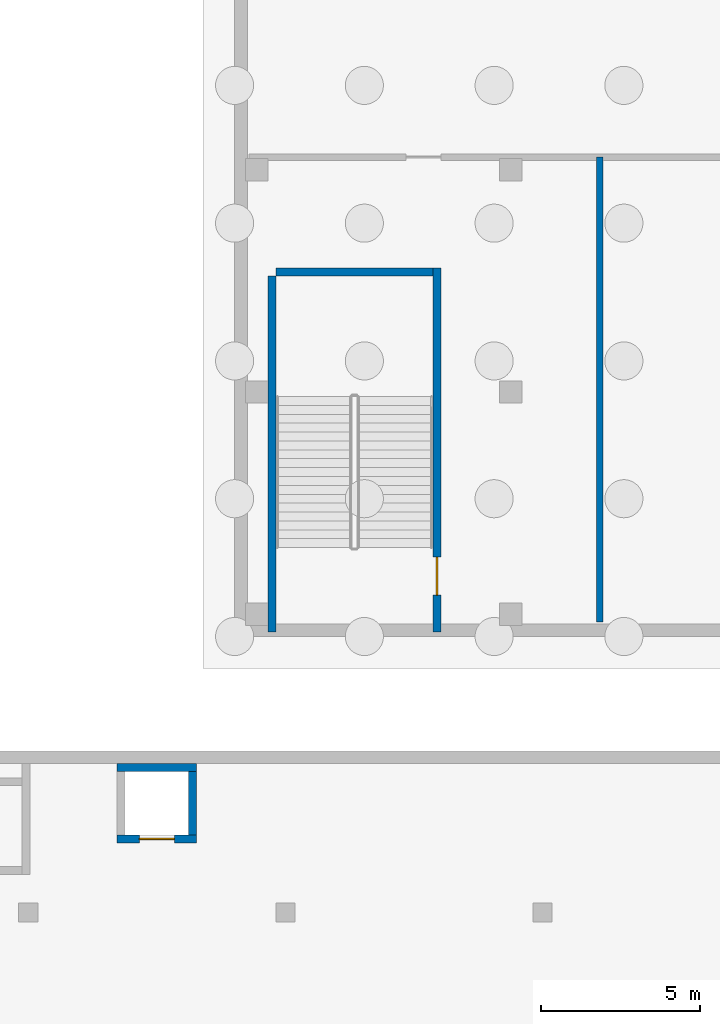
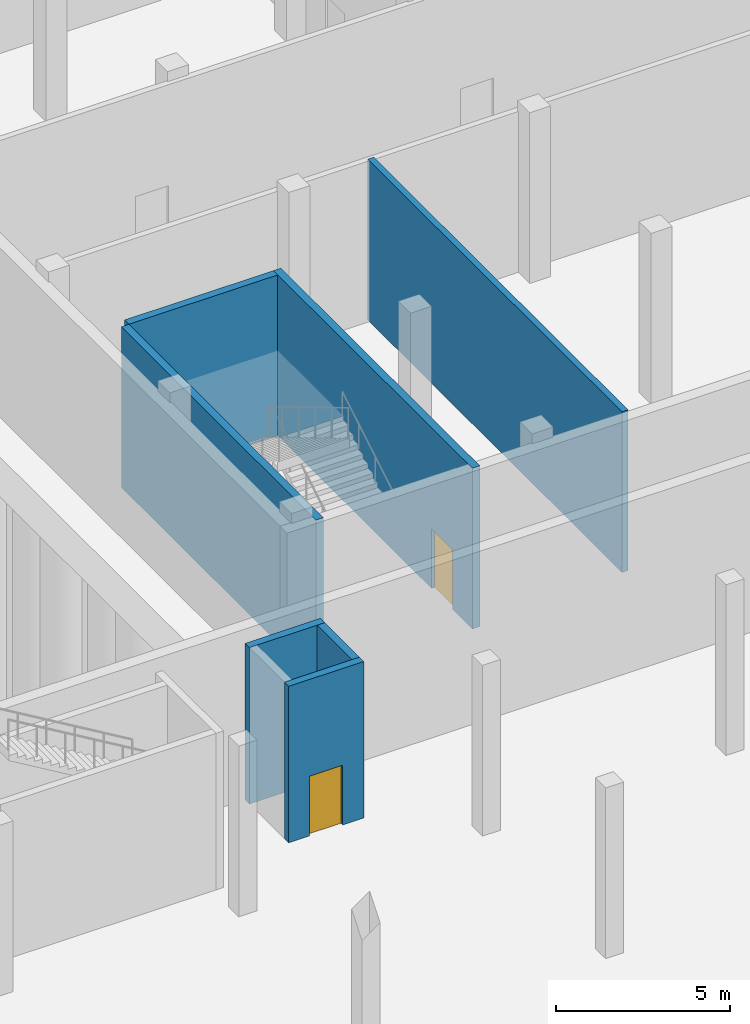
# One storey, part 15 of 45: 7 walls, 2 doors, 2 openings.
"""IFC4 building model written with IfcOpenShell, lengths in metres."""

from ifc_helpers import new_model, si_unit, direction, frame, frame_2d, origin, place, context, subcontext, project, spatial, rectangle, extrude, material, layer, layer_set, type_object, element, fill, save


model = new_model("IFC4")

# Units and contexts
model_context = context("Model", 3, precision=1e-05, world=origin(), true_north=direction((0.0, 1.0)))
body_context = subcontext(model_context, "Body", "Model", "MODEL_VIEW")
ifc_project = project(units=[si_unit("LENGTHUNIT", "METRE"), si_unit("AREAUNIT", "SQUARE_METRE"), si_unit("VOLUMEUNIT", "CUBIC_METRE"), si_unit("PLANEANGLEUNIT", "RADIAN"), si_unit("MASSUNIT", "GRAM", prefix="KILO")], contexts=[model_context])

# Site, building, storey
site_placement = place(None, origin())
site = spatial("IfcSite", under=ifc_project, at=site_placement, CompositionType="ELEMENT")
building_placement = place(site_placement, origin())
building = spatial("IfcBuilding", under=site, at=building_placement, Name="Tamorin Gate", CompositionType="ELEMENT")
storey_placement = place(building_placement, frame((0.0, 0.0, -6.0)))
storey = spatial("IfcBuildingStorey", under=building, at=storey_placement, Name="B1", CompositionType="ELEMENT", Elevation=-6.0)

# Walls
ifc_material_1 = material(Name="Dense blockwork, plastered", Category="masonry")
ifc_layer_1 = layer(ifc_material_1, 0.199951171875)
ifc_layer_set_1 = layer_set([ifc_layer_1], Name="Blockwork partition 200")
wall_type_1 = type_object("IfcWallType", Name="Blockwork partition 200", PredefinedType="PARTITIONING", material=ifc_layer_set_1)
wall_1_placement = place(storey_placement, frame((156.5, 55.449951171875, 0.0), z_axis=(0.0, 0.0, 1.0), x_axis=(0.0, 1.0, 0.0)))
element("IfcWall", 1, at=wall_1_placement, inside=storey, type_object=wall_type_1, Name="Partition", PredefinedType="PARTITIONING", context=body_context, shape_type="SweptSolid", body=[
    extrude(rectangle(XDim=14.650146484375, YDim=0.199951171875, at=frame_2d((7.3251953125, 0.0))), origin(), (0.0, 0.0, 1.0), 5.64990234375),
])
ifc_material_2 = material(Name="Concrete C40/50", Category="concrete")
ifc_layer_2 = layer(ifc_material_2, 0.25)
ifc_layer_set_2 = layer_set([ifc_layer_2], Name="Museum stair and lift enclosure wall 250 C40/50")
wall_type_2 = type_object("IfcWallType", Name="Museum stair and lift enclosure wall 250 C40/50", PredefinedType="SHEAR", material=ifc_layer_set_2)
wall_2_placement = place(storey_placement, frame((146.175048828125, 55.14990234375, 0.0), z_axis=(0.0, 0.0, 1.0), x_axis=(0.0, 1.0, 0.0)))
element("IfcWall", 2, at=wall_2_placement, inside=storey, type_object=wall_type_2, Name="Stair PS8 wall", PredefinedType="SHEAR", context=body_context, shape_type="SweptSolid", body=[
    extrude(rectangle(XDim=11.210205078125, YDim=0.25, at=frame_2d((5.60498046875, 0.0))), origin(), (0.0, 0.0, 1.0), 5.64990234375),
])

# Wall, opening, door
wall_3_placement = place(storey_placement, frame((151.375, 55.14990234375, 0.0), z_axis=(0.0, 0.0, 1.0), x_axis=(0.0, 1.0, 0.0)))
wall_3 = element("IfcWall", 3, at=wall_3_placement, inside=storey, type_object=wall_type_2, Name="Stair PS8 wall", PredefinedType="SHEAR", context=body_context, shape_type="SweptSolid", body=[
    extrude(rectangle(XDim=11.460205078125, YDim=0.25, at=frame_2d((5.72998046875, 0.0))), origin(), (0.0, 0.0, 1.0), 5.64990234375),
])
opening_1_placement = place(wall_3_placement, frame((1.14990234375, 0.0, 0.0)))
opening_1 = element("IfcOpeningElement", 4, at=opening_1_placement, cuts=wall_3, Name="Opening DM13", PredefinedType="OPENING", context=body_context, shape_type="SweptSolid", body=[
    extrude(rectangle(XDim=1.199951171875, YDim=2.10009765625, at=frame_2d((0.60009765625, 1.050048828125))), frame((0.0, 0.135009765625, 0.0), z_axis=(0.0, -1.0, 0.0), x_axis=(1.0, 0.0, 0.0)), (0.0, 0.0, 1.0), 0.27001953125),
])
ifc_material_3 = material(Name="Steel, painted", Category="steel")
door_type_1 = type_object("IfcDoorType", Name="Museum stair door 1200x2100 FD90", OperationType="SINGLE_SWING_LEFT", PredefinedType="DOOR", material=ifc_material_3)
door_1_placement = place(opening_1_placement, origin())
door_1 = element("IfcDoor", 5, at=door_1_placement, inside=storey, type_object=door_type_1, Name="Stair door", OperationType="SINGLE_SWING_LEFT", OverallHeight=2.10009765625, OverallWidth=1.199951171875, PredefinedType="DOOR", context=body_context, shape_type="SweptSolid", body=[
    extrude(rectangle(XDim=1.199951171875, YDim=2.10009765625, at=frame_2d((0.60009765625, 1.050048828125))), frame((0.0, 0.02490234375, 0.0), z_axis=(0.0, -1.0, 0.0), x_axis=(1.0, 0.0, 0.0)), (0.0, 0.0, 1.0), 0.050048828125),
])
fill(opening_1, door_1)

# Wall
wall_4_placement = place(storey_placement, frame((146.300048828125, 66.485107421875, 0.0), z_axis=(0.0, 0.0, 1.0), x_axis=(1.0, 0.0, 0.0)))
element("IfcWall", 6, at=wall_4_placement, inside=storey, type_object=wall_type_2, Name="Stair PS8 wall", PredefinedType="SHEAR", context=body_context, shape_type="SweptSolid", body=[
    extrude(rectangle(XDim=4.949951171875, YDim=0.25, at=frame_2d((2.47509765625, 0.0))), origin(), (0.0, 0.0, 1.0), 5.64990234375),
])

# Wall, opening, door
ifc_layer_3 = layer(ifc_material_2, 0.25)
ifc_layer_set_3 = layer_set([ifc_layer_3], Name="Stair and lift enclosure wall 250 C40/50")
wall_type_3 = type_object("IfcWallType", Name="Stair and lift enclosure wall 250 C40/50", PredefinedType="SHEAR", material=ifc_layer_set_3)
wall_5_placement = place(storey_placement, frame((141.300048828125, 48.625, 0.0), z_axis=(0.0, 0.0, 1.0), x_axis=(1.0, 0.0, 0.0)))
wall_5 = element("IfcWall", 7, at=wall_5_placement, inside=storey, type_object=wall_type_3, Name="Lift shaft LP1", PredefinedType="SHEAR", context=body_context, shape_type="SweptSolid", body=[
    extrude(rectangle(XDim=2.5, YDim=0.25, at=frame_2d((1.25, 0.0))), origin(), (0.0, 0.0, 1.0), 5.5),
])
opening_2_placement = place(wall_5_placement, frame((0.699951171875, 0.0, 0.0)))
opening_2 = element("IfcOpeningElement", 8, at=opening_2_placement, cuts=wall_5, Name="Opening LD23", PredefinedType="OPENING", context=body_context, shape_type="SweptSolid", body=[
    extrude(rectangle(XDim=1.10009765625, YDim=2.10009765625, at=frame_2d((0.550048828125, 1.050048828125))), frame((0.0, 0.135009765625, 0.0), z_axis=(0.0, -1.0, 0.0), x_axis=(1.0, 0.0, 0.0)), (0.0, 0.0, 1.0), 0.27001953125),
])
ifc_material_4 = material(Name="Stainless steel", Category="steel")
door_type_2 = type_object("IfcDoorType", Name="Lift landing door 1100x2100", OperationType="DOUBLE_DOOR_SLIDING", PredefinedType="DOOR", material=ifc_material_4)
door_2_placement = place(opening_2_placement, origin())
door_2 = element("IfcDoor", 9, at=door_2_placement, inside=storey, type_object=door_type_2, Name="Lift landing door", OperationType="DOUBLE_DOOR_SLIDING", OverallHeight=2.10009765625, OverallWidth=1.10009765625, PredefinedType="DOOR", context=body_context, shape_type="SweptSolid", body=[
    extrude(rectangle(XDim=1.10009765625, YDim=2.10009765625, at=frame_2d((0.550048828125, 1.050048828125))), frame((0.0, 0.02490234375, 0.0), z_axis=(0.0, -1.0, 0.0), x_axis=(1.0, 0.0, 0.0)), (0.0, 0.0, 1.0), 0.050048828125),
])
fill(opening_2, door_2)

# Walls
wall_6_placement = place(storey_placement, frame((141.300048828125, 50.875, 0.0), z_axis=(0.0, 0.0, 1.0), x_axis=(1.0, 0.0, 0.0)))
element("IfcWall", 10, at=wall_6_placement, inside=storey, type_object=wall_type_3, Name="Lift shaft LP1", PredefinedType="SHEAR", context=body_context, shape_type="SweptSolid", body=[
    extrude(rectangle(XDim=2.5, YDim=0.25, at=frame_2d((1.25, 0.0))), origin(), (0.0, 0.0, 1.0), 5.5),
])
wall_7_placement = place(storey_placement, frame((143.675048828125, 48.75, 0.0), z_axis=(0.0, 0.0, 1.0), x_axis=(0.0, 1.0, 0.0)))
element("IfcWall", 11, at=wall_7_placement, inside=storey, type_object=wall_type_3, Name="Lift shaft LP1", PredefinedType="SHEAR", context=body_context, shape_type="SweptSolid", body=[
    extrude(rectangle(XDim=2.0, YDim=0.25, at=frame_2d((1.0, 0.0))), origin(), (0.0, 0.0, 1.0), 5.5),
])

save(model, "model.ifc")
